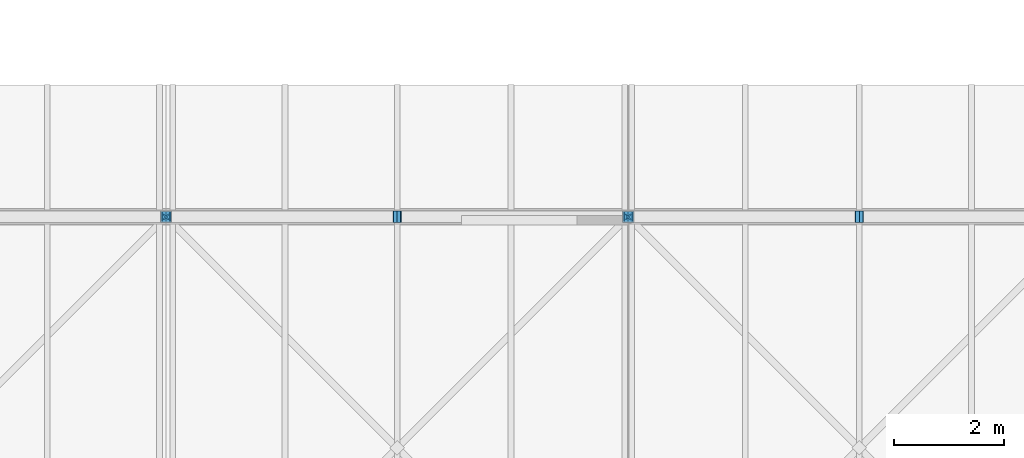
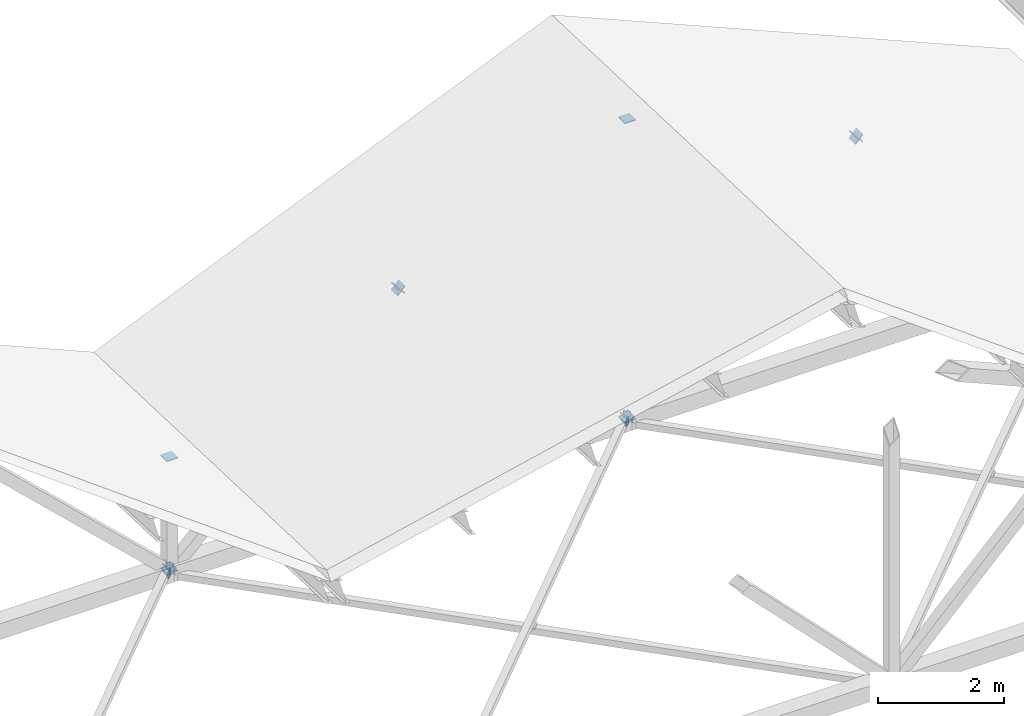
# One storey, part 57 of 76: 16 discrete accessories.
"""IFC4 building model written with IfcOpenShell, lengths in metres."""

from ifc_helpers import new_model, si_unit, direction, frame, origin, origin_2d, place, context, subcontext, project, spatial, rectangle, extrude, material, element, save


model = new_model("IFC4")

# Units and contexts
model_context = context("Model", 3, precision=1e-05, world=origin(), true_north=direction((0.0, 1.0)))
body_context = subcontext(model_context, "Body", "Model", "MODEL_VIEW")
ifc_project = project(units=[si_unit("LENGTHUNIT", "METRE"), si_unit("AREAUNIT", "SQUARE_METRE"), si_unit("VOLUMEUNIT", "CUBIC_METRE"), si_unit("PLANEANGLEUNIT", "RADIAN"), si_unit("MASSUNIT", "GRAM", prefix="KILO")], contexts=[model_context])

# Site, building, storey
site_placement = place(None, origin())
site = spatial("IfcSite", under=ifc_project, at=site_placement, CompositionType="ELEMENT")
building_placement = place(site_placement, origin())
building = spatial("IfcBuilding", under=site, at=building_placement, Name="Hlaing Beacon Police Headquarters", CompositionType="ELEMENT")
storey_placement = place(building_placement, frame((0.0, 0.0, 18.89990234375)))
storey = spatial("IfcBuildingStorey", under=building, at=storey_placement, Name="L04", CompositionType="ELEMENT", Elevation=18.89990234375)

# Discrete accessories
ifc_material = material(Name="Steel ASTM A572 Grade 50", Category="steel")
for number, where, z_axis, x_axis, name in (
    (1, (75.60009765625, 67.199951171875, -4.33740234375), (0.0, 0.0, -1.0), (1.0, 0.0, 0.0), "Gusset plate GP-357"),
    (2, (75.60009765625, 67.199951171875, -2.167724609375), (0.0, 0.0, 1.0), (1.0, 0.0, 0.0), "Gusset plate GP-358"),
    (3, (84.0, 67.199951171875, -4.33740234375), (0.0, 0.0, -1.0), (1.0, 0.0, 0.0), "Gusset plate GP-359"),
    (4, (84.0, 67.199951171875, 1.4443359375), (0.0, 0.0, 1.0), (1.0, 0.0, 0.0), "Gusset plate GP-360"),
):
    element("IfcDiscreteAccessory", number, at=place(storey_placement, frame(where, z_axis=z_axis, x_axis=x_axis)), inside=storey, material=ifc_material, Name=name, PredefinedType="BRACKET", context=body_context, shape_type="SweptSolid", body=[
        extrude(rectangle(XDim=0.203125, YDim=0.203125, at=origin_2d()), origin(), (0.0, 0.0, 1.0), 0.02001953125),
    ])
for number, where, z_axis, x_axis, name in (
    (5, (75.59423828125, 67.199951171875, -4.341796875), (0.725037311835, 0.0, -0.688709587887), (0.0, 1.0, 0.0), "Gusset plate GP-370"),
    (6, (75.60595703125, 67.199951171875, -4.341796875), (-0.725017321361, 0.0, -0.688730632197), (0.0, -1.0, 0.0), "Gusset plate GP-371"),
    (7, (79.794189453125, 67.199951171875, -0.363037109375), (0.725017321361, 0.0, 0.688730632197), (0.0, 1.0, 0.0), "Gusset plate GP-372"),
    (8, (79.805908203125, 67.199951171875, -0.36328125), (-0.725017321361, 0.0, 0.688730632197), (0.0, -1.0, 0.0), "Gusset plate GP-373"),
    (9, (83.994140625, 67.199951171875, -4.342041015625), (0.725017321361, 0.0, -0.688730632197), (0.0, 1.0, 0.0), "Gusset plate GP-374"),
    (10, (84.005859375, 67.199951171875, -4.341796875), (-0.725017321361, 0.0, -0.688730632197), (0.0, -1.0, 0.0), "Gusset plate GP-375"),
    (11, (88.194091796875, 67.199951171875, -0.363037109375), (0.725017321361, 0.0, 0.688730632197), (0.0, 1.0, 0.0), "Gusset plate GP-376"),
    (12, (88.205810546875, 67.199951171875, -0.36328125), (-0.725017321361, 0.0, 0.688730632197), (0.0, -1.0, 0.0), "Gusset plate GP-377"),
):
    element("IfcDiscreteAccessory", number, at=place(storey_placement, frame(where, z_axis=z_axis, x_axis=x_axis)), inside=storey, material=ifc_material, Name=name, PredefinedType="BRACKET", context=body_context, shape_type="SweptSolid", body=[
        extrude(rectangle(XDim=0.203125, YDim=0.203125, at=origin_2d()), origin(), (0.0, 0.0, 1.0), 0.01611328125),
    ])
for number, where, z_axis, x_axis, name in (
    (13, (75.595947265625, 67.19580078125, -4.27392578125), (0.707117056885, 0.707096505339, 0.0), (-0.707096505339, 0.707117056885, 0.0), "Gusset plate GP-404"),
    (14, (83.99560546875, 67.195556640625, -4.27392578125), (0.707106781187, 0.707106781187, 0.0), (-0.707106781187, 0.707106781187, 0.0), "Gusset plate GP-408"),
    (15, (75.604248046875, 67.19580078125, -4.4208984375), (-0.707106781187, 0.707106781187, 0.0), (-0.707106781187, -0.707106781187, 0.0), "Gusset plate GP-409"),
    (16, (84.004150390625, 67.19580078125, -4.4208984375), (-0.707106781187, 0.707106781187, 0.0), (-0.707106781187, -0.707106781187, 0.0), "Gusset plate GP-413"),
):
    element("IfcDiscreteAccessory", number, at=place(storey_placement, frame(where, z_axis=z_axis, x_axis=x_axis)), inside=storey, material=ifc_material, Name=name, PredefinedType="BRACKET", context=body_context, shape_type="SweptSolid", body=[
        extrude(rectangle(XDim=0.126953125, YDim=0.126953125, at=origin_2d()), origin(), (0.0, 0.0, 1.0), 0.011962890625),
    ])

save(model, "model.ifc")
